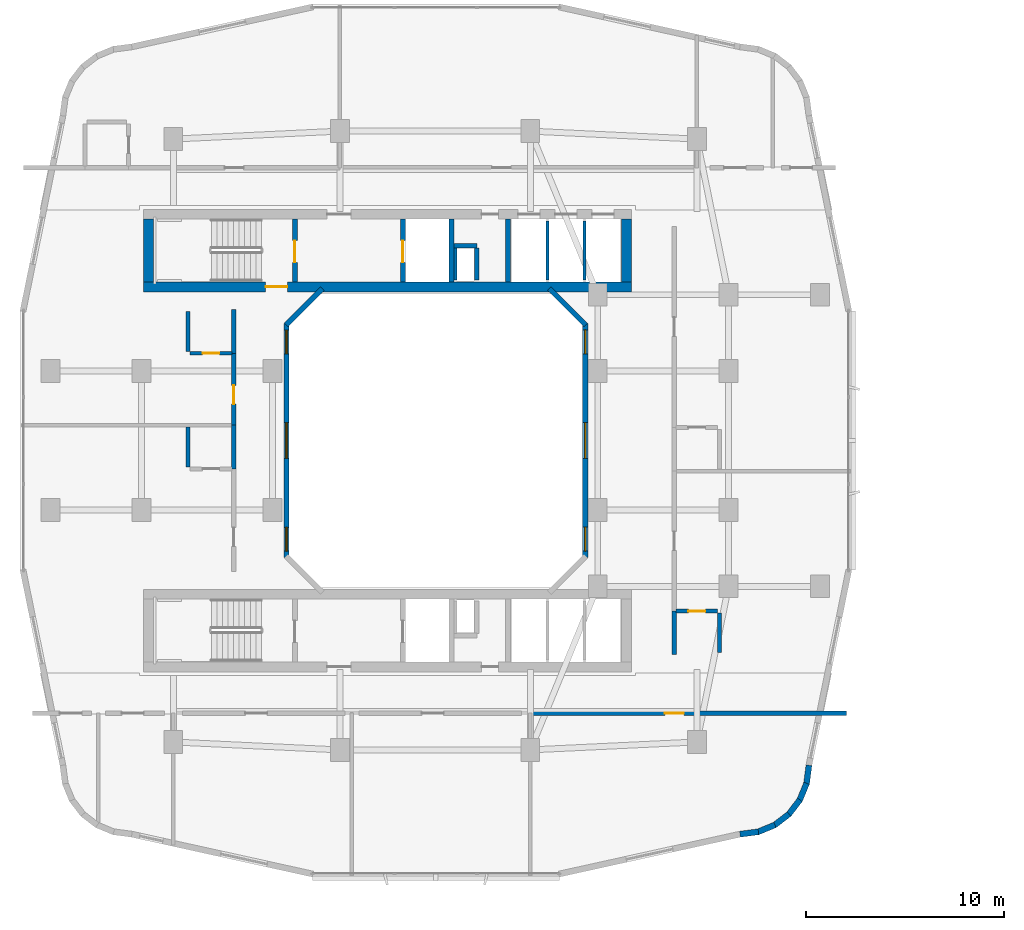
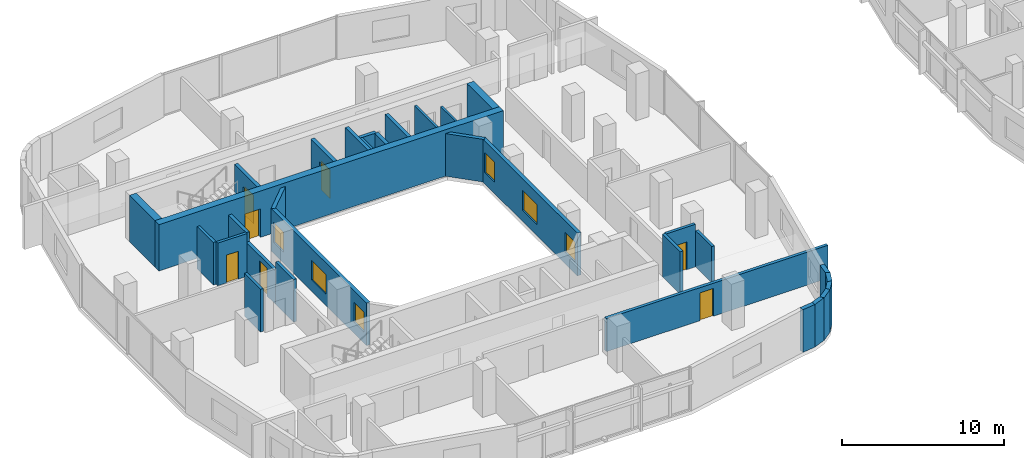
# One storey, part 14 of 26: 32 walls, 7 doors, 6 windows, 13 openings.
"""IFC4 building model written with IfcOpenShell, lengths in metres."""

from ifc_helpers import new_model, si_unit, derived_unit, direction, frame, frame_2d, origin, place, context, subcontext, project, spatial, rectangle, extrude, material, layer, layer_set, type_object, element, fill, save


model = new_model("IFC4")

# Units and contexts
model_context = context("Model", 3, precision=1e-05, world=origin(), true_north=direction((0.0, 1.0)))
body_context = subcontext(model_context, "Body", "Model", "MODEL_VIEW")
ifc_project = project(units=[si_unit("LENGTHUNIT", "METRE"), si_unit("AREAUNIT", "SQUARE_METRE"), si_unit("VOLUMEUNIT", "CUBIC_METRE"), si_unit("PLANEANGLEUNIT", "RADIAN"), si_unit("MASSUNIT", "GRAM", prefix="KILO"), derived_unit("THERMALTRANSMITTANCEUNIT", [(si_unit("POWERUNIT", "WATT"), 1), (si_unit("LENGTHUNIT", "METRE"), -2), (si_unit("THERMODYNAMICTEMPERATUREUNIT", "KELVIN"), -1)])], contexts=[model_context])

# Site, building, storey
site_placement = place(None, origin())
site = spatial("IfcSite", under=ifc_project, at=site_placement, CompositionType="ELEMENT")
building_placement = place(site_placement, origin())
building = spatial("IfcBuilding", under=site, at=building_placement, Name="Kivonza Crest Hotel", CompositionType="ELEMENT")
storey_placement = place(building_placement, frame((0.0, 0.0, 62.5)))
storey = spatial("IfcBuildingStorey", under=building, at=storey_placement, Name="L16", CompositionType="ELEMENT", Elevation=62.5)

# Wall, opening, door
ifc_material_1 = material(Name="Autoclaved aerated concrete blockwork", Category="masonry")
ifc_layer_1 = layer(ifc_material_1, 0.219970703125)
ifc_layer_set_1 = layer_set([ifc_layer_1], Name="Autoclaved aerated concrete blockwork")
wall_type_1 = type_object("IfcWallType", Name="WL-ACOU-220", PredefinedType="SOLIDWALL", material=ifc_layer_set_1)
wall_1_placement = place(storey_placement, frame((25.89990234375, 11.25, 0.0), z_axis=(0.0, 0.0, 1.0), x_axis=(1.0, 0.0, 0.0)))
wall_1 = element("IfcWall", 1, at=wall_1_placement, inside=storey, type_object=wall_type_1, Name="L16 interior partition WA-L16-BUS-MTG-N", PredefinedType="SOLIDWALL", context=body_context, shape_type="SweptSolid", body=[
    extrude(rectangle(XDim=15.840087890625, YDim=0.219970703125, at=frame_2d((7.919921875, 0.0))), origin(), (0.0, 0.0, 1.0), 2.4951171875),
])
opening_1_placement = place(wall_1_placement, frame((6.69091796875, 0.0, 0.0)))
opening_1 = element("IfcOpeningElement", 2, at=opening_1_placement, cuts=wall_1, Name="Opening DF-60S", PredefinedType="OPENING", context=body_context, shape_type="SweptSolid", body=[
    extrude(rectangle(XDim=0.949951171875, YDim=2.10009765625, at=frame_2d((0.47509765625, 1.050048828125))), frame((0.0, 0.1201171875, 0.0), z_axis=(0.0, -1.0, 0.0), x_axis=(1.0, 0.0, 0.0)), (0.0, 0.0, 1.0), 0.239990234375),
])
ifc_material_2 = material(Name="Hardwood timber oak", Category="wood")
door_type_1 = type_object("IfcDoorType", Name="DR-FD60-950", OperationType="NOTDEFINED", PredefinedType="DOOR", material=ifc_material_2)
door_1_placement = place(opening_1_placement, frame((0.949951171875, 0.0, 0.0), z_axis=(0.0, 0.0, 1.0), x_axis=(-1.0, 0.0, 0.0)))
door_1 = element("IfcDoor", 3, at=door_1_placement, inside=storey, type_object=door_type_1, Name="L16 Floor Beverage Kitchen door", OperationType="SINGLE_SWING_RIGHT", OverallHeight=2.10009765625, OverallWidth=0.949951171875, PredefinedType="DOOR", context=body_context, shape_type="SweptSolid", body=[
    extrude(rectangle(XDim=0.949951171875, YDim=2.10009765625, at=frame_2d((0.47509765625, 1.050048828125))), frame((0.0, 0.02490234375, 0.0), z_axis=(0.0, -1.0, 0.0), x_axis=(1.0, 0.0, 0.0)), (0.0, 0.0, 1.0), 0.050048828125),
])
fill(opening_1, door_1)

# Walls
wall_2_placement = place(storey_placement, frame((10.85009765625, 23.570068359375, 0.0), z_axis=(0.0, 0.0, 1.0), x_axis=(0.0, 1.0, 0.0)))
element("IfcWall", 4, at=wall_2_placement, inside=storey, type_object=wall_type_1, Name="L16 interior partition WA-L16-W02-BCORR", PredefinedType="SOLIDWALL", context=body_context, shape_type="SweptSolid", body=[
    extrude(rectangle(XDim=2.199951171875, YDim=0.219970703125, at=frame_2d((1.10009765625, 0.0))), origin(), (0.0, 0.0, 1.0), 3.219970703125),
])
wall_3_placement = place(storey_placement, frame((10.85009765625, 29.39990234375, 0.0), z_axis=(0.0, 0.0, 1.0), x_axis=(0.0, 1.0, 0.0)))
element("IfcWall", 5, at=wall_3_placement, inside=storey, type_object=wall_type_1, Name="L16 interior partition WA-L16-W03-BCORR", PredefinedType="SOLIDWALL", context=body_context, shape_type="SweptSolid", body=[
    extrude(rectangle(XDim=2.2001953125, YDim=0.219970703125, at=frame_2d((1.10009765625, 0.0))), origin(), (0.0, 0.0, 1.0), 3.219970703125),
])

# Wall, opening, door
wall_4_placement = place(storey_placement, frame((10.85009765625, 25.77001953125, 0.0), z_axis=(0.0, 0.0, 1.0), x_axis=(0.0, 1.0, 0.0)))
wall_4 = element("IfcWall", 6, at=wall_4_placement, inside=storey, type_object=wall_type_1, Name="L16 interior partition WA-L16-W03-MCORR", PredefinedType="SOLIDWALL", context=body_context, shape_type="SweptSolid", body=[
    extrude(rectangle(XDim=3.6298828125, YDim=0.219970703125, at=frame_2d((1.81494140625, 0.0))), origin(), (0.0, 0.0, 1.0), 2.4951171875),
])
opening_2_placement = place(wall_4_placement, frame((1.06005859375, 0.0, 0.0)))
opening_2 = element("IfcOpeningElement", 7, at=opening_2_placement, cuts=wall_4, Name="Opening DU-60", PredefinedType="OPENING", context=body_context, shape_type="SweptSolid", body=[
    extrude(rectangle(XDim=0.949951171875, YDim=2.10009765625, at=frame_2d((0.47509765625, 1.050048828125))), frame((0.0, 0.1201171875, 0.0), z_axis=(0.0, -1.0, 0.0), x_axis=(1.0, 0.0, 0.0)), (0.0, 0.0, 1.0), 0.239990234375),
])
door_type_2 = type_object("IfcDoorType", Name="DR-UNIT-950", OperationType="NOTDEFINED", PredefinedType="DOOR", material=ifc_material_2)
door_2_placement = place(opening_2_placement, origin())
door_2 = element("IfcDoor", 8, at=door_2_placement, inside=storey, type_object=door_type_2, Name="L16 W03 guest unit entrance fire door", OperationType="SINGLE_SWING_LEFT", OverallHeight=2.10009765625, OverallWidth=0.949951171875, PredefinedType="DOOR", context=body_context, shape_type="SweptSolid", body=[
    extrude(rectangle(XDim=0.949951171875, YDim=2.10009765625, at=frame_2d((0.47509765625, 1.050048828125))), frame((0.0, 0.02490234375, 0.0), z_axis=(0.0, -1.0, 0.0), x_axis=(1.0, 0.0, 0.0)), (0.0, 0.0, 1.0), 0.050048828125),
])
fill(opening_2, door_2)

# Wall
wall_5_placement = place(storey_placement, frame((33.050048828125, 14.199951171875, 0.0), z_axis=(0.0, 0.0, 1.0), x_axis=(0.0, 1.0, 0.0)))
element("IfcWall", 9, at=wall_5_placement, inside=storey, type_object=wall_type_1, Name="L16 interior partition WA-L16-E04-BCORR", PredefinedType="SOLIDWALL", context=body_context, shape_type="SweptSolid", body=[
    extrude(rectangle(XDim=2.199951171875, YDim=0.219970703125, at=frame_2d((1.10009765625, 0.0))), origin(), (0.0, 0.0, 1.0), 3.219970703125),
])

# Wall, opening, door
ifc_material_3 = material(Name="Concrete C60/75", Category="concrete")
ifc_layer_2 = layer(ifc_material_3, 0.5)
ifc_layer_set_2 = layer_set([ifc_layer_2], Name="Concrete C60/75")
wall_type_2 = type_object("IfcWallType", Name="WL-CORE-500", PredefinedType="SHEAR", material=ifc_layer_set_2)
wall_6_placement = place(storey_placement, frame((6.300048828125, 32.75, 0.0), z_axis=(0.0, 0.0, 1.0), x_axis=(1.0, 0.0, 0.0)))
wall_6 = element("IfcWall", 10, at=wall_6_placement, inside=storey, type_object=wall_type_2, Name="Core wall T1-N South L16", PredefinedType="SHEAR", context=body_context, shape_type="SweptSolid", body=[
    extrude(rectangle(XDim=24.599853515625, YDim=0.5, at=frame_2d((12.2998046875, 0.0))), origin(), (0.0, 0.0, 1.0), 3.5),
])
opening_3_placement = place(wall_6_placement, frame((6.14990234375, 0.0, 0.0)))
opening_3 = element("IfcOpeningElement", 11, at=opening_3_placement, cuts=wall_6, Name="Opening DF-120", PredefinedType="OPENING", context=body_context, shape_type="SweptSolid", body=[
    extrude(rectangle(XDim=1.10009765625, YDim=2.14990234375, at=frame_2d((0.550048828125, 1.074951171875))), frame((0.0, 0.260009765625, 0.0), z_axis=(0.0, -1.0, 0.0), x_axis=(1.0, 0.0, 0.0)), (0.0, 0.0, 1.0), 0.52001953125),
])
ifc_material_4 = material(Name="Galvanised steel", Category="steel")
door_type_3 = type_object("IfcDoorType", Name="DR-FD120-1100", OperationType="NOTDEFINED", PredefinedType="DOOR", material=ifc_material_4)
door_3_placement = place(opening_3_placement, origin())
door_3 = element("IfcDoor", 12, at=door_3_placement, inside=storey, type_object=door_type_3, Name="L16 West corridor stair access fire door", OperationType="SINGLE_SWING_LEFT", OverallHeight=2.14990234375, OverallWidth=1.10009765625, PredefinedType="DOOR", context=body_context, shape_type="SweptSolid", body=[
    extrude(rectangle(XDim=1.10009765625, YDim=2.14990234375, at=frame_2d((0.550048828125, 1.074951171875))), frame((0.0, 0.02490234375, 0.0), z_axis=(0.0, -1.0, 0.0), x_axis=(1.0, 0.0, 0.0)), (0.0, 0.0, 1.0), 0.050048828125),
])
fill(opening_3, door_3)

# Walls
for number, where, z_axis, x_axis, name in (
    (13, (6.550048828125, 33.0, 0.0), (0.0, 0.0, 1.0), (0.0, 1.0, 0.0), "Core wall T1-N West L16"),
    (14, (30.64990234375, 33.0, 0.0), (0.0, 0.0, 1.0), (0.0, 1.0, 0.0), "Core wall T1-N East L16"),
):
    element("IfcWall", number, at=place(storey_placement, frame(where, z_axis=z_axis, x_axis=x_axis)), inside=storey, type_object=wall_type_2, Name=name, PredefinedType="SHEAR", context=body_context, shape_type="SweptSolid", body=[
        extrude(rectangle(XDim=3.159912109375, YDim=0.5, at=frame_2d((1.580078125, 0.0))), origin(), (0.0, 0.0, 1.0), 3.5),
    ])

# Wall, openings, windows
ifc_material_5 = material(Name="Precast concrete C40/50", Category="concrete")
ifc_layer_3 = layer(ifc_material_5, 0.260009765625)
ifc_layer_set_3 = layer_set([ifc_layer_3], Name="Precast concrete C40/50")
wall_type_3 = type_object("IfcWallType", Name="WL-EXT-260", PredefinedType="STANDARD", material=ifc_layer_set_3)
wall_7_placement = place(storey_placement, frame((28.570068359375, 19.110107421875, 0.0), z_axis=(0.0, 0.0, 1.0), x_axis=(0.0, 1.0, 0.0)))
wall_7 = element("IfcWall", 15, at=wall_7_placement, inside=storey, type_object=wall_type_3, Name="L16 T1 light-well exterior wall 3", PredefinedType="STANDARD", context=body_context, shape_type="SweptSolid", body=[
    extrude(rectangle(XDim=11.77978515625, YDim=0.260009765625, at=frame_2d((5.889892578125, 0.0))), origin(), (0.0, 0.0, 1.0), 3.219970703125),
])
opening_4_placement = place(wall_7_placement, frame((0.318115234375, 0.0, 0.85009765625)))
opening_4 = element("IfcOpeningElement", 16, at=opening_4_placement, cuts=wall_7, Name="Opening WN-01", PredefinedType="OPENING", context=body_context, shape_type="SweptSolid", body=[
    extrude(rectangle(XDim=1.199951171875, YDim=1.5, at=frame_2d((0.60009765625, 0.75))), frame((0.0, 0.14013671875, 0.0), z_axis=(0.0, -1.0, 0.0), x_axis=(1.0, 0.0, 0.0)), (0.0, 0.0, 1.0), 0.280029296875),
])
opening_5_placement = place(wall_7_placement, frame((4.989990234375, 0.0, 0.85009765625)))
opening_5 = element("IfcOpeningElement", 17, at=opening_5_placement, cuts=wall_7, Name="Opening WN-03", PredefinedType="OPENING", context=body_context, shape_type="SweptSolid", body=[
    extrude(rectangle(XDim=1.800048828125, YDim=1.5, at=frame_2d((0.89990234375, 0.75))), frame((0.0, 0.14013671875, 0.0), z_axis=(0.0, -1.0, 0.0), x_axis=(1.0, 0.0, 0.0)), (0.0, 0.0, 1.0), 0.280029296875),
])
opening_6_placement = place(wall_7_placement, frame((10.262939453125, 0.0, 0.85009765625)))
opening_6 = element("IfcOpeningElement", 18, at=opening_6_placement, cuts=wall_7, Name="Opening WN-01", PredefinedType="OPENING", context=body_context, shape_type="SweptSolid", body=[
    extrude(rectangle(XDim=1.199951171875, YDim=1.5, at=frame_2d((0.60009765625, 0.75))), frame((0.0, 0.14013671875, 0.0), z_axis=(0.0, -1.0, 0.0), x_axis=(1.0, 0.0, 0.0)), (0.0, 0.0, 1.0), 0.280029296875),
])
ifc_material_6 = material(Name="Thermally broken bronze aluminium and low-E double glazing", Category="aluminium")
window_type_1 = type_object("IfcWindowType", Name="WN-120x150", PartitioningType="SINGLE_PANEL", PredefinedType="WINDOW", material=ifc_material_6)
window_1_placement = place(opening_4_placement, origin())
window_1 = element("IfcWindow", 19, at=window_1_placement, inside=storey, type_object=window_type_1, Name="L16 T1 light-well window 3 bay 1", OverallHeight=1.5, OverallWidth=1.199951171875, PartitioningType="SINGLE_PANEL", PredefinedType="WINDOW", context=body_context, shape_type="SweptSolid", body=[
    extrude(rectangle(XDim=1.199951171875, YDim=1.5, at=frame_2d((0.60009765625, 0.75))), frame((0.0, 0.030029296875, 0.0), z_axis=(0.0, -1.0, 0.0), x_axis=(1.0, 0.0, 0.0)), (0.0, 0.0, 1.0), 0.06005859375),
])
fill(opening_4, window_1)
window_2_placement = place(opening_6_placement, origin())
window_2 = element("IfcWindow", 20, at=window_2_placement, inside=storey, type_object=window_type_1, Name="L16 T1 light-well window 3 bay 3", OverallHeight=1.5, OverallWidth=1.199951171875, PartitioningType="SINGLE_PANEL", PredefinedType="WINDOW", context=body_context, shape_type="SweptSolid", body=[
    extrude(rectangle(XDim=1.199951171875, YDim=1.5, at=frame_2d((0.60009765625, 0.75))), frame((0.0, 0.030029296875, 0.0), z_axis=(0.0, -1.0, 0.0), x_axis=(1.0, 0.0, 0.0)), (0.0, 0.0, 1.0), 0.06005859375),
])
fill(opening_6, window_2)
window_type_2 = type_object("IfcWindowType", Name="WN-180x150", PartitioningType="DOUBLE_PANEL_VERTICAL", PredefinedType="WINDOW", material=ifc_material_6)
window_3_placement = place(opening_5_placement, origin())
window_3 = element("IfcWindow", 21, at=window_3_placement, inside=storey, type_object=window_type_2, Name="L16 T1 light-well window 3 bay 2", OverallHeight=1.5, OverallWidth=1.800048828125, PartitioningType="SINGLE_PANEL", PredefinedType="WINDOW", context=body_context, shape_type="SweptSolid", body=[
    extrude(rectangle(XDim=1.800048828125, YDim=1.5, at=frame_2d((0.89990234375, 0.75))), frame((0.0, 0.030029296875, 0.0), z_axis=(0.0, -1.0, 0.0), x_axis=(1.0, 0.0, 0.0)), (0.0, 0.0, 1.0), 0.06005859375),
])
fill(opening_5, window_3)

# Walls
wall_8_placement = place(storey_placement, frame((28.595947265625, 30.827880859375, 0.0), z_axis=(0.0, 0.0, 1.0), x_axis=(-0.707059717605, 0.707153841636, 0.0)))
element("IfcWall", 22, at=wall_8_placement, inside=storey, type_object=wall_type_3, Name="L16 T1 light-well exterior wall 4", PredefinedType="STANDARD", context=body_context, shape_type="SweptSolid", body=[
    extrude(rectangle(XDim=2.59375, YDim=0.260009765625, at=frame_2d((1.296875, 0.0))), origin(), (0.0, 0.0, 1.0), 3.219970703125),
])
wall_9_placement = place(storey_placement, frame((15.318115234375, 32.662109375, 0.0), z_axis=(0.0, 0.0, 1.0), x_axis=(-0.707106781187, -0.707106781187, 0.0)))
element("IfcWall", 23, at=wall_9_placement, inside=storey, type_object=wall_type_3, Name="L16 T1 light-well exterior wall 6", PredefinedType="STANDARD", context=body_context, shape_type="SweptSolid", body=[
    extrude(rectangle(XDim=2.593994140625, YDim=0.260009765625, at=frame_2d((1.296875, 0.0))), origin(), (0.0, 0.0, 1.0), 3.219970703125),
])

# Wall, openings, windows
wall_10_placement = place(storey_placement, frame((13.510009765625, 30.889892578125, 0.0), z_axis=(0.0, 0.0, 1.0), x_axis=(0.0, -1.0, 0.0)))
wall_10 = element("IfcWall", 24, at=wall_10_placement, inside=storey, type_object=wall_type_3, Name="L16 T1 light-well exterior wall 7", PredefinedType="STANDARD", context=body_context, shape_type="SweptSolid", body=[
    extrude(rectangle(XDim=11.77978515625, YDim=0.260009765625, at=frame_2d((5.889892578125, 0.0))), origin(), (0.0, 0.0, 1.0), 3.219970703125),
])
opening_7_placement = place(wall_10_placement, frame((0.318115234375, 0.0, 0.85009765625)))
opening_7 = element("IfcOpeningElement", 25, at=opening_7_placement, cuts=wall_10, Name="Opening WN-01", PredefinedType="OPENING", context=body_context, shape_type="SweptSolid", body=[
    extrude(rectangle(XDim=1.199951171875, YDim=1.5, at=frame_2d((0.60009765625, 0.75))), frame((0.0, 0.14013671875, 0.0), z_axis=(0.0, -1.0, 0.0), x_axis=(1.0, 0.0, 0.0)), (0.0, 0.0, 1.0), 0.280029296875),
])
opening_8_placement = place(wall_10_placement, frame((4.989990234375, 0.0, 0.85009765625)))
opening_8 = element("IfcOpeningElement", 26, at=opening_8_placement, cuts=wall_10, Name="Opening WN-03", PredefinedType="OPENING", context=body_context, shape_type="SweptSolid", body=[
    extrude(rectangle(XDim=1.800048828125, YDim=1.5, at=frame_2d((0.89990234375, 0.75))), frame((0.0, 0.14013671875, 0.0), z_axis=(0.0, -1.0, 0.0), x_axis=(1.0, 0.0, 0.0)), (0.0, 0.0, 1.0), 0.280029296875),
])
opening_9_placement = place(wall_10_placement, frame((10.262939453125, 0.0, 0.85009765625)))
opening_9 = element("IfcOpeningElement", 27, at=opening_9_placement, cuts=wall_10, Name="Opening WN-01", PredefinedType="OPENING", context=body_context, shape_type="SweptSolid", body=[
    extrude(rectangle(XDim=1.199951171875, YDim=1.5, at=frame_2d((0.60009765625, 0.75))), frame((0.0, 0.14013671875, 0.0), z_axis=(0.0, -1.0, 0.0), x_axis=(1.0, 0.0, 0.0)), (0.0, 0.0, 1.0), 0.280029296875),
])
window_4_placement = place(opening_7_placement, origin())
window_4 = element("IfcWindow", 28, at=window_4_placement, inside=storey, type_object=window_type_1, Name="L16 T1 light-well window 7 bay 1", OverallHeight=1.5, OverallWidth=1.199951171875, PartitioningType="SINGLE_PANEL", PredefinedType="WINDOW", context=body_context, shape_type="SweptSolid", body=[
    extrude(rectangle(XDim=1.199951171875, YDim=1.5, at=frame_2d((0.60009765625, 0.75))), frame((0.0, 0.030029296875, 0.0), z_axis=(0.0, -1.0, 0.0), x_axis=(1.0, 0.0, 0.0)), (0.0, 0.0, 1.0), 0.06005859375),
])
fill(opening_7, window_4)
window_5_placement = place(opening_9_placement, origin())
window_5 = element("IfcWindow", 29, at=window_5_placement, inside=storey, type_object=window_type_1, Name="L16 T1 light-well window 7 bay 3", OverallHeight=1.5, OverallWidth=1.199951171875, PartitioningType="SINGLE_PANEL", PredefinedType="WINDOW", context=body_context, shape_type="SweptSolid", body=[
    extrude(rectangle(XDim=1.199951171875, YDim=1.5, at=frame_2d((0.60009765625, 0.75))), frame((0.0, 0.030029296875, 0.0), z_axis=(0.0, -1.0, 0.0), x_axis=(1.0, 0.0, 0.0)), (0.0, 0.0, 1.0), 0.06005859375),
])
fill(opening_9, window_5)
window_6_placement = place(opening_8_placement, origin())
window_6 = element("IfcWindow", 30, at=window_6_placement, inside=storey, type_object=window_type_2, Name="L16 T1 light-well window 7 bay 2", OverallHeight=1.5, OverallWidth=1.800048828125, PartitioningType="SINGLE_PANEL", PredefinedType="WINDOW", context=body_context, shape_type="SweptSolid", body=[
    extrude(rectangle(XDim=1.800048828125, YDim=1.5, at=frame_2d((0.89990234375, 0.75))), frame((0.0, 0.030029296875, 0.0), z_axis=(0.0, -1.0, 0.0), x_axis=(1.0, 0.0, 0.0)), (0.0, 0.0, 1.0), 0.06005859375),
])
fill(opening_8, window_6)

# Walls
ifc_layer_4 = layer(ifc_material_5, 0.300048828125)
ifc_layer_set_4 = layer_set([ifc_layer_4], Name="Precast concrete C40/50")
wall_type_4 = type_object("IfcWallType", Name="WL-EXT-300", PredefinedType="STANDARD", material=ifc_layer_set_4)
wall_11_placement = place(storey_placement, frame((36.3720703125, 5.14794921875, 0.0), z_axis=(0.0, 0.0, 1.0), x_axis=(0.991359246108, 0.131174864804, 0.0)))
element("IfcWall", 31, at=wall_11_placement, inside=storey, type_object=wall_type_4, Name="L16 T1 exterior insulated wall 10", PredefinedType="STANDARD", context=body_context, shape_type="SweptSolid", body=[
    extrude(rectangle(XDim=0.93798828125, YDim=0.300048828125, at=frame_2d((0.468994140625, 0.0))), origin(), (0.0, 0.0, 1.0), 3.219970703125),
])
wall_12_placement = place(storey_placement, frame((37.251953125, 5.251953125, 0.0), z_axis=(0.0, 0.0, 1.0), x_axis=(0.924019948111, 0.382344263057, 0.0)))
element("IfcWall", 32, at=wall_12_placement, inside=storey, type_object=wall_type_4, Name="L16 T1 exterior insulated wall 11", PredefinedType="STANDARD", context=body_context, shape_type="SweptSolid", body=[
    extrude(rectangle(XDim=0.95458984375, YDim=0.300048828125, at=frame_2d((0.477294921875, 0.0))), origin(), (0.0, 0.0, 1.0), 3.219970703125),
])
wall_13_placement = place(storey_placement, frame((38.089111328125, 5.5859375, 0.0), z_axis=(0.0, 0.0, 1.0), x_axis=(0.793573440799, 0.608474481025, 0.0)))
element("IfcWall", 33, at=wall_13_placement, inside=storey, type_object=wall_type_4, Name="L16 T1 exterior insulated wall 12", PredefinedType="STANDARD", context=body_context, shape_type="SweptSolid", body=[
    extrude(rectangle(XDim=0.954833984375, YDim=0.300048828125, at=frame_2d((0.4775390625, 0.0))), origin(), (0.0, 0.0, 1.0), 3.219970703125),
])
wall_14_placement = place(storey_placement, frame((38.81201171875, 6.125, 0.0), z_axis=(0.0, 0.0, 1.0), x_axis=(0.608351047625, 0.793668068435, 0.0)))
element("IfcWall", 34, at=wall_14_placement, inside=storey, type_object=wall_type_4, Name="L16 T1 exterior insulated wall 13", PredefinedType="STANDARD", context=body_context, shape_type="SweptSolid", body=[
    extrude(rectangle(XDim=0.955078125, YDim=0.300048828125, at=frame_2d((0.4775390625, 0.0))), origin(), (0.0, 0.0, 1.0), 3.219970703125),
])
wall_15_placement = place(storey_placement, frame((39.368896484375, 6.833984375, 0.0), z_axis=(0.0, 0.0, 1.0), x_axis=(0.382344263057, 0.924019948111, 0.0)))
element("IfcWall", 35, at=wall_15_placement, inside=storey, type_object=wall_type_4, Name="L16 T1 exterior insulated wall 14", PredefinedType="STANDARD", context=body_context, shape_type="SweptSolid", body=[
    extrude(rectangle(XDim=0.95458984375, YDim=0.300048828125, at=frame_2d((0.477294921875, 0.0))), origin(), (0.0, 0.0, 1.0), 3.219970703125),
])
wall_16_placement = place(storey_placement, frame((39.72509765625, 7.6630859375, 0.0), z_axis=(0.0, 0.0, 1.0), x_axis=(0.130454512571, 0.991454295543, 0.0)))
element("IfcWall", 36, at=wall_16_placement, inside=storey, type_object=wall_type_4, Name="L16 T1 exterior insulated wall 15", PredefinedType="STANDARD", context=body_context, shape_type="SweptSolid", body=[
    extrude(rectangle(XDim=0.97314453125, YDim=0.300048828125, at=frame_2d((0.486572265625, 0.0))), origin(), (0.0, 0.0, 1.0), 3.219970703125),
])
ifc_material_7 = material(Name="Concrete blockwork fire-compartment wall", Category="masonry")
ifc_layer_5 = layer(ifc_material_7, 0.25)
ifc_layer_set_5 = layer_set([ifc_layer_5], Name="Concrete blockwork fire-compartment wall")
wall_type_5 = type_object("IfcWallType", Name="WL-FIRE-250", PredefinedType="SOLIDWALL", material=ifc_layer_set_5)
wall_17_placement = place(storey_placement, frame((23.10009765625, 33.10009765625, 0.0), z_axis=(0.0, 0.0, 1.0), x_axis=(0.0, 1.0, 0.0)))
element("IfcWall", 37, at=wall_17_placement, inside=storey, type_object=wall_type_5, Name="L16 interior partition WA-L16-T1-N-MEPR-E", PredefinedType="SOLIDWALL", context=body_context, shape_type="SweptSolid", body=[
    extrude(rectangle(XDim=1.619873046875, YDim=0.25, at=frame_2d((0.81005859375, 0.0))), origin(), (0.0, 0.0, 1.0), 3.219970703125),
])
wall_18_placement = place(storey_placement, frame((21.949951171875, 34.820068359375, 0.0), z_axis=(0.0, 0.0, 1.0), x_axis=(1.0, 0.0, 0.0)))
element("IfcWall", 38, at=wall_18_placement, inside=storey, type_object=wall_type_5, Name="L16 interior partition WA-L16-T1-N-MEPR-H", PredefinedType="SOLIDWALL", context=body_context, shape_type="SweptSolid", body=[
    extrude(rectangle(XDim=1.150146484375, YDim=0.25, at=frame_2d((0.5751953125, 0.0))), origin(), (0.0, 0.0, 1.0), 3.219970703125),
])
ifc_material_8 = material(Name="Twin-stud acoustic gypsum board partition", Category="gypsum")
ifc_layer_6 = layer(ifc_material_8, 0.14990234375)
ifc_layer_set_6 = layer_set([ifc_layer_6], Name="Twin-stud acoustic gypsum board partition")
wall_type_6 = type_object("IfcWallType", Name="WL-PART-150", PredefinedType="PARTITIONING", material=ifc_layer_set_6)
wall_19_placement = place(storey_placement, frame((22.030029296875, 33.10009765625, 0.0), z_axis=(0.0, 0.0, 1.0), x_axis=(0.0, 1.0, 0.0)))
element("IfcWall", 39, at=wall_19_placement, inside=storey, type_object=wall_type_6, Name="L16 interior partition WA-L16-T1-N-MEPR-W", PredefinedType="PARTITIONING", context=body_context, shape_type="SweptSolid", body=[
    extrude(rectangle(XDim=1.619873046875, YDim=0.14990234375, at=frame_2d((0.81005859375, 0.0))), origin(), (0.0, 0.0, 1.0), 3.219970703125),
])
wall_20_placement = place(storey_placement, frame((26.6669921875, 33.10009765625, 0.0), z_axis=(0.0, 0.0, 1.0), x_axis=(0.0, 1.0, 0.0)))
element("IfcWall", 40, at=wall_20_placement, inside=storey, type_object=wall_type_6, Name="L16 interior partition WP-L16-T1-N-BSH-1", PredefinedType="PARTITIONING", context=body_context, shape_type="SweptSolid", body=[
    extrude(rectangle(XDim=2.9599609375, YDim=0.14990234375, at=frame_2d((1.47998046875, 0.0))), origin(), (0.0, 0.0, 1.0), 3.219970703125),
])
wall_21_placement = place(storey_placement, frame((28.532958984375, 33.10009765625, 0.0), z_axis=(0.0, 0.0, 1.0), x_axis=(0.0, 1.0, 0.0)))
element("IfcWall", 41, at=wall_21_placement, inside=storey, type_object=wall_type_6, Name="L16 interior partition WP-L16-T1-N-BSH-2", PredefinedType="PARTITIONING", context=body_context, shape_type="SweptSolid", body=[
    extrude(rectangle(XDim=2.9599609375, YDim=0.14990234375, at=frame_2d((1.47998046875, 0.0))), origin(), (0.0, 0.0, 1.0), 2.4951171875),
])
ifc_material_9 = material(Name="Moisture-resistant plumbing chase partition wall", Category="gypsum")
ifc_layer_7 = layer(ifc_material_9, 0.199951171875)
ifc_layer_set_7 = layer_set([ifc_layer_7], Name="Moisture-resistant plumbing chase partition wall")
wall_type_7 = type_object("IfcWallType", Name="WL-PLUMB-200", PredefinedType="PLUMBINGWALL", material=ifc_layer_set_7)
wall_22_placement = place(storey_placement, frame((8.550048828125, 23.669921875, 0.0), z_axis=(0.0, 0.0, 1.0), x_axis=(0.0, 1.0, 0.0)))
element("IfcWall", 42, at=wall_22_placement, inside=storey, type_object=wall_type_7, Name="L16 interior partition WW-L16-W02-BV", PredefinedType="PLUMBINGWALL", context=body_context, shape_type="SweptSolid", body=[
    extrude(rectangle(XDim=2.0, YDim=0.199951171875, at=frame_2d((1.0, 0.0))), origin(), (0.0, 0.0, 1.0), 3.219970703125),
])

# Wall, opening, door
wall_23_placement = place(storey_placement, frame((8.64990234375, 29.39990234375, 0.0), z_axis=(0.0, 0.0, 1.0), x_axis=(1.0, 0.0, 0.0)))
wall_23 = element("IfcWall", 43, at=wall_23_placement, inside=storey, type_object=wall_type_7, Name="L16 interior partition WW-L16-W03-BH", PredefinedType="PLUMBINGWALL", context=body_context, shape_type="SweptSolid", body=[
    extrude(rectangle(XDim=2.10009765625, YDim=0.199951171875, at=frame_2d((1.050048828125, 0.0))), origin(), (0.0, 0.0, 1.0), 3.219970703125),
])
opening_10_placement = place(wall_23_placement, frame((0.625, 0.0, 0.0)))
opening_10 = element("IfcOpeningElement", 44, at=opening_10_placement, cuts=wall_23, Name="Opening DI-85", PredefinedType="OPENING", context=body_context, shape_type="SweptSolid", body=[
    extrude(rectangle(XDim=0.85009765625, YDim=2.10009765625, at=frame_2d((0.425048828125, 1.050048828125))), frame((0.0, 0.10986328125, 0.0), z_axis=(0.0, -1.0, 0.0), x_axis=(1.0, 0.0, 0.0)), (0.0, 0.0, 1.0), 0.219970703125),
])
door_type_4 = type_object("IfcDoorType", Name="DR-INT-850", OperationType="NOTDEFINED", PredefinedType="DOOR", material=ifc_material_2)
door_4_placement = place(opening_10_placement, frame((0.85009765625, 0.0, 0.0), z_axis=(0.0, 0.0, 1.0), x_axis=(-1.0, 0.0, 0.0)))
door_4 = element("IfcDoor", 45, at=door_4_placement, inside=storey, type_object=door_type_4, Name="L16 W03 en-suite bathroom door", OperationType="SINGLE_SWING_RIGHT", OverallHeight=2.10009765625, OverallWidth=0.85009765625, PredefinedType="DOOR", context=body_context, shape_type="SweptSolid", body=[
    extrude(rectangle(XDim=0.85009765625, YDim=2.10009765625, at=frame_2d((0.425048828125, 1.050048828125))), frame((0.0, 0.02490234375, 0.0), z_axis=(0.0, -1.0, 0.0), x_axis=(1.0, 0.0, 0.0)), (0.0, 0.0, 1.0), 0.050048828125),
])
fill(opening_10, door_4)

# Wall
wall_24_placement = place(storey_placement, frame((8.550048828125, 29.5, 0.0), z_axis=(0.0, 0.0, 1.0), x_axis=(0.0, 1.0, 0.0)))
element("IfcWall", 46, at=wall_24_placement, inside=storey, type_object=wall_type_7, Name="L16 interior partition WW-L16-W03-BV", PredefinedType="PLUMBINGWALL", context=body_context, shape_type="SweptSolid", body=[
    extrude(rectangle(XDim=2.0, YDim=0.199951171875, at=frame_2d((1.0, 0.0))), origin(), (0.0, 0.0, 1.0), 3.219970703125),
])

# Wall, opening, door
wall_25_placement = place(storey_placement, frame((33.14990234375, 16.39990234375, 0.0), z_axis=(0.0, 0.0, 1.0), x_axis=(1.0, 0.0, 0.0)))
wall_25 = element("IfcWall", 47, at=wall_25_placement, inside=storey, type_object=wall_type_7, Name="L16 interior partition WW-L16-E04-BH", PredefinedType="PLUMBINGWALL", context=body_context, shape_type="SweptSolid", body=[
    extrude(rectangle(XDim=2.10009765625, YDim=0.199951171875, at=frame_2d((1.050048828125, 0.0))), origin(), (0.0, 0.0, 1.0), 3.219970703125),
])
opening_11_placement = place(wall_25_placement, frame((0.625, 0.0, 0.0)))
opening_11 = element("IfcOpeningElement", 48, at=opening_11_placement, cuts=wall_25, Name="Opening DI-85", PredefinedType="OPENING", context=body_context, shape_type="SweptSolid", body=[
    extrude(rectangle(XDim=0.85009765625, YDim=2.10009765625, at=frame_2d((0.425048828125, 1.050048828125))), frame((0.0, 0.10986328125, 0.0), z_axis=(0.0, -1.0, 0.0), x_axis=(1.0, 0.0, 0.0)), (0.0, 0.0, 1.0), 0.219970703125),
])
door_5_placement = place(opening_11_placement, origin())
door_5 = element("IfcDoor", 49, at=door_5_placement, inside=storey, type_object=door_type_4, Name="L16 E04 en-suite bathroom door", OperationType="SINGLE_SWING_LEFT", OverallHeight=2.10009765625, OverallWidth=0.85009765625, PredefinedType="DOOR", context=body_context, shape_type="SweptSolid", body=[
    extrude(rectangle(XDim=0.85009765625, YDim=2.10009765625, at=frame_2d((0.425048828125, 1.050048828125))), frame((0.0, 0.02490234375, 0.0), z_axis=(0.0, -1.0, 0.0), x_axis=(1.0, 0.0, 0.0)), (0.0, 0.0, 1.0), 0.050048828125),
])
fill(opening_11, door_5)

# Wall
wall_26_placement = place(storey_placement, frame((35.35009765625, 14.300048828125, 0.0), z_axis=(0.0, 0.0, 1.0), x_axis=(0.0, 1.0, 0.0)))
element("IfcWall", 50, at=wall_26_placement, inside=storey, type_object=wall_type_7, Name="L16 interior partition WW-L16-E04-BV", PredefinedType="PLUMBINGWALL", context=body_context, shape_type="SweptSolid", body=[
    extrude(rectangle(XDim=2.0, YDim=0.199951171875, at=frame_2d((1.0, 0.0))), origin(), (0.0, 0.0, 1.0), 2.7451171875),
])

# Wall, opening, door
ifc_material_10 = material(Name="Concrete C50/60", Category="concrete")
ifc_layer_8 = layer(ifc_material_10, 0.25)
ifc_layer_set_8 = layer_set([ifc_layer_8], Name="Concrete C50/60")
wall_type_8 = type_object("IfcWallType", Name="WL-SHAFT-250", PredefinedType="STANDARD", material=ifc_layer_set_8)
wall_27_placement = place(storey_placement, frame((13.925048828125, 33.0, 0.0), z_axis=(0.0, 0.0, 1.0), x_axis=(0.0, 1.0, 0.0)))
wall_27 = element("IfcWall", 51, at=wall_27_placement, inside=storey, type_object=wall_type_8, Name="Core shaft wall T1-N STAIR L16", PredefinedType="STANDARD", context=body_context, shape_type="SweptSolid", body=[
    extrude(rectangle(XDim=3.159912109375, YDim=0.25, at=frame_2d((1.580078125, 0.0))), origin(), (0.0, 0.0, 1.0), 3.219970703125),
])
opening_12_placement = place(wall_27_placement, frame((0.97998046875, 0.0, 0.0)))
opening_12 = element("IfcOpeningElement", 52, at=opening_12_placement, cuts=wall_27, Name="Opening DF-120", PredefinedType="OPENING", context=body_context, shape_type="SweptSolid", body=[
    extrude(rectangle(XDim=1.10009765625, YDim=2.14990234375, at=frame_2d((0.550048828125, 1.074951171875))), frame((0.0, 0.135009765625, 0.0), z_axis=(0.0, -1.0, 0.0), x_axis=(1.0, 0.0, 0.0)), (0.0, 0.0, 1.0), 0.27001953125),
])
door_6_placement = place(opening_12_placement, frame((1.10009765625, 0.0, 0.0), z_axis=(0.0, 0.0, 1.0), x_axis=(-1.0, 0.0, 0.0)))
door_6 = element("IfcDoor", 53, at=door_6_placement, inside=storey, type_object=door_type_3, Name="L16 T1-N stair fire door", OperationType="SINGLE_SWING_LEFT", OverallHeight=2.14990234375, OverallWidth=1.10009765625, PredefinedType="DOOR", context=body_context, shape_type="SweptSolid", body=[
    extrude(rectangle(XDim=1.10009765625, YDim=2.14990234375, at=frame_2d((0.550048828125, 1.074951171875))), frame((0.0, 0.02490234375, 0.0), z_axis=(0.0, -1.0, 0.0), x_axis=(1.0, 0.0, 0.0)), (0.0, 0.0, 1.0), 0.050048828125),
])
fill(opening_12, door_6)

wall_28_placement = place(storey_placement, frame((19.375, 33.0, 0.0), z_axis=(0.0, 0.0, 1.0), x_axis=(0.0, 1.0, 0.0)))
wall_28 = element("IfcWall", 54, at=wall_28_placement, inside=storey, type_object=wall_type_8, Name="Core shaft wall T1-N FFL-W L16", PredefinedType="STANDARD", context=body_context, shape_type="SweptSolid", body=[
    extrude(rectangle(XDim=3.159912109375, YDim=0.25, at=frame_2d((1.580078125, 0.0))), origin(), (0.0, 0.0, 1.0), 3.219970703125),
])
opening_13_placement = place(wall_28_placement, frame((0.97998046875, 0.0, 0.0)))
opening_13 = element("IfcOpeningElement", 55, at=opening_13_placement, cuts=wall_28, Name="Opening LD-120", PredefinedType="OPENING", context=body_context, shape_type="SweptSolid", body=[
    extrude(rectangle(XDim=1.10009765625, YDim=2.14990234375, at=frame_2d((0.550048828125, 1.074951171875))), frame((0.0, 0.135009765625, 0.0), z_axis=(0.0, -1.0, 0.0), x_axis=(1.0, 0.0, 0.0)), (0.0, 0.0, 1.0), 0.27001953125),
])
ifc_material_11 = material(Name="Stainless steel", Category="steel")
door_type_5 = type_object("IfcDoorType", Name="DR-LD120-1100", OperationType="NOTDEFINED", PredefinedType="DOOR", material=ifc_material_11)
door_7_placement = place(opening_13_placement, origin())
door_7 = element("IfcDoor", 56, at=door_7_placement, inside=storey, type_object=door_type_5, Name="L16 FFL-T1-N firefighting lift sliding landing door", OperationType="DOUBLE_DOOR_SLIDING", OverallHeight=2.14990234375, OverallWidth=1.10009765625, PredefinedType="DOOR", context=body_context, shape_type="SweptSolid", body=[
    extrude(rectangle(XDim=1.10009765625, YDim=2.14990234375, at=frame_2d((0.550048828125, 1.074951171875))), frame((0.0, 0.02490234375, 0.0), z_axis=(0.0, -1.0, 0.0), x_axis=(1.0, 0.0, 0.0)), (0.0, 0.0, 1.0), 0.050048828125),
])
fill(opening_13, door_7)

# Walls
for number, where, z_axis, x_axis, name in (
    (57, (21.824951171875, 33.0, 0.0), (0.0, 0.0, 1.0), (0.0, 1.0, 0.0), "Core shaft wall T1-N FFL-E L16"),
    (58, (24.675048828125, 33.0, 0.0), (0.0, 0.0, 1.0), (0.0, 1.0, 0.0), "Core shaft wall T1-N BANK-W L16"),
):
    element("IfcWall", number, at=place(storey_placement, frame(where, z_axis=z_axis, x_axis=x_axis)), inside=storey, type_object=wall_type_8, Name=name, PredefinedType="STANDARD", context=body_context, shape_type="SweptSolid", body=[
        extrude(rectangle(XDim=3.159912109375, YDim=0.25, at=frame_2d((1.580078125, 0.0))), origin(), (0.0, 0.0, 1.0), 3.219970703125),
    ])

save(model, "model.ifc")
